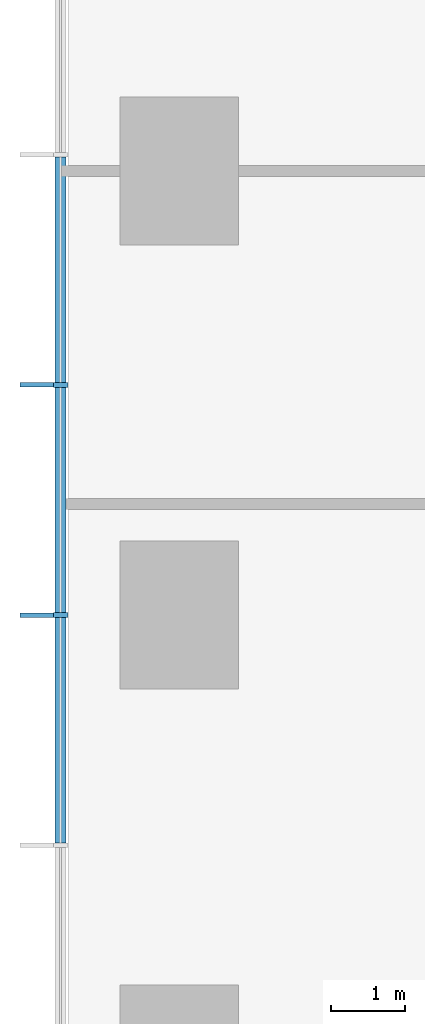
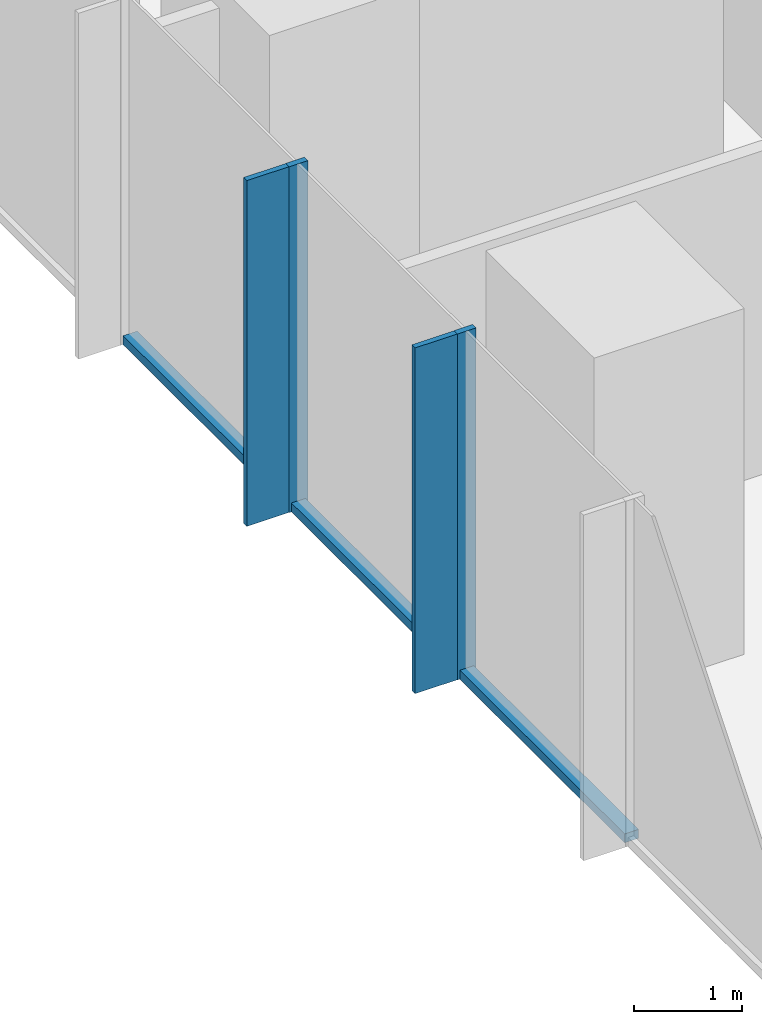
# One storey, part 3 of 12: 7 members, 1 element without a shape of its own.
"""IFC4 building model written with IfcOpenShell, lengths in metres."""

from ifc_helpers import new_model, si_unit, direction, frame, origin, origin_2d, place, context, subcontext, project, spatial, rectangle, extrude, material, layer, layer_set, material_profile, profile_set, type_object, element, aggregate, save


model = new_model("IFC4")

# Units and contexts
model_context = context("Model", 3, precision=1e-05, world=origin(), true_north=direction((0.0, 1.0)))
body_context = subcontext(model_context, "Body", "Model", "MODEL_VIEW")
ifc_project = project(units=[si_unit("LENGTHUNIT", "METRE"), si_unit("AREAUNIT", "SQUARE_METRE"), si_unit("VOLUMEUNIT", "CUBIC_METRE"), si_unit("PLANEANGLEUNIT", "RADIAN"), si_unit("MASSUNIT", "GRAM", prefix="KILO")], contexts=[model_context])

# Site, building, storey
site_placement = place(None, origin())
site = spatial("IfcSite", under=ifc_project, at=site_placement, CompositionType="ELEMENT")
building_placement = place(site_placement, origin())
building = spatial("IfcBuilding", under=site, at=building_placement, Name="Highveld Stack Headquarters", CompositionType="ELEMENT")
storey_placement = place(building_placement, frame((0.0, 0.0, 72.800048828125)))
storey = spatial("IfcBuildingStorey", under=building, at=storey_placement, Name="L17", CompositionType="ELEMENT", Elevation=72.800048828125)

# Curtain wall, members
ifc_material_1 = material(Name="Aluminium bronze anodised", Category="aluminium")
ifc_layer = layer(ifc_material_1, 0.199951171875)
ifc_layer_set = layer_set([ifc_layer], Name="Aluminium bronze anodised")
curtain_wall_type = type_object("IfcCurtainWallType", Name="CW1 TOWER UNITISED CURTAIN WALL", PredefinedType="NOTDEFINED", material=ifc_layer_set)
curtain_wall_placement = place(storey_placement, origin())
curtain_wall = element("IfcCurtainWall", 1, at=curtain_wall_placement, inside=storey, type_object=curtain_wall_type, Name="Curtain wall CW1 L17 W", PredefinedType="NOTDEFINED")
ifc_material_2 = material(Name="Aluminium bronze anodised", Category="aluminium")
ifc_material_profile_1 = material_profile(ifc_material_2, rectangle(XDim=0.449951171875, YDim=0.06005859375, at=origin_2d()), Name="FIN 450x60")
ifc_profile_set_1 = profile_set([ifc_material_profile_1], Name="Aluminium bronze anodised")
member_type_1 = type_object("IfcMemberType", Name="CW1 BRONZE FIN 450x60", PredefinedType="USERDEFINED", material=ifc_profile_set_1)
member_1_placement = place(storey_placement, frame((-19.925048828125, 9.110595703125, 0.0), z_axis=(0.0, 0.0, 1.0), x_axis=(1.0, 0.0, 0.0)))
member_1 = element("IfcMember", 2, at=member_1_placement, type_object=member_type_1, Name="CW1 fin L17 6", ObjectType="FIN", PredefinedType="USERDEFINED", context=body_context, shape_type="SweptSolid", body=[
    extrude(rectangle(XDim=0.449951171875, YDim=0.06005859375, at=origin_2d()), origin(), (0.0, 0.0, 1.0), 3.89990234375),
])
member_2_placement = place(storey_placement, frame((-19.925048828125, 6.0, 0.0), z_axis=(0.0, 0.0, 1.0), x_axis=(1.0, 0.0, 0.0)))
member_2 = element("IfcMember", 3, at=member_2_placement, type_object=member_type_1, Name="CW1 fin L17 7", ObjectType="FIN", PredefinedType="USERDEFINED", context=body_context, shape_type="SweptSolid", body=[
    extrude(rectangle(XDim=0.449951171875, YDim=0.06005859375, at=origin_2d()), origin(), (0.0, 0.0, 1.0), 3.89990234375),
])
ifc_material_3 = material(Name="Aluminium bronze anodised", Category="aluminium")
ifc_material_profile_2 = material_profile(ifc_material_3, rectangle(XDim=0.199951171875, YDim=0.06494140625, at=origin_2d()), Name="CW1 MULLION 65x200")
ifc_profile_set_2 = profile_set([ifc_material_profile_2], Name="Aluminium bronze anodised")
member_type_2 = type_object("IfcMemberType", Name="CW1 MULLION 65x200", PredefinedType="MULLION", material=ifc_profile_set_2)
member_3_placement = place(storey_placement, frame((-19.60009765625, 9.110595703125, 0.0), z_axis=(0.0, 0.0, 1.0), x_axis=(1.0, 0.0, 0.0)))
member_3 = element("IfcMember", 4, at=member_3_placement, type_object=member_type_2, Name="CW1 mullion L17 6", PredefinedType="MULLION", context=body_context, shape_type="SweptSolid", body=[
    extrude(rectangle(XDim=0.199951171875, YDim=0.06494140625, at=origin_2d()), origin(), (0.0, 0.0, 1.0), 3.89990234375),
])
member_4_placement = place(storey_placement, frame((-19.60009765625, 6.0, 0.0), z_axis=(0.0, 0.0, 1.0), x_axis=(1.0, 0.0, 0.0)))
member_4 = element("IfcMember", 5, at=member_4_placement, type_object=member_type_2, Name="CW1 mullion L17 7", PredefinedType="MULLION", context=body_context, shape_type="SweptSolid", body=[
    extrude(rectangle(XDim=0.199951171875, YDim=0.06494140625, at=origin_2d()), origin(), (0.0, 0.0, 1.0), 3.89990234375),
])
ifc_material_4 = material(Name="Aluminium bronze anodised", Category="aluminium")
ifc_material_profile_3 = material_profile(ifc_material_4, rectangle(XDim=0.14990234375, YDim=0.10009765625, at=origin_2d()), Name="CW1 TRANSOM 150x100")
ifc_profile_set_3 = profile_set([ifc_material_profile_3], Name="Aluminium bronze anodised")
member_type_3 = type_object("IfcMemberType", Name="CW1 STACK TRANSOM 150x100", PredefinedType="USERDEFINED", material=ifc_profile_set_3)
member_5_placement = place(storey_placement, frame((-19.60009765625, 12.1884765625, 0.050048828125), z_axis=(0.0, -1.0, 0.0), x_axis=(1.0, 0.0, 0.0)))
member_5 = element("IfcMember", 6, at=member_5_placement, type_object=member_type_3, Name="CW1 transom L17 5.1", ObjectType="TRANSOM", PredefinedType="USERDEFINED", context=body_context, shape_type="SweptSolid", body=[
    extrude(rectangle(XDim=0.14990234375, YDim=0.10009765625, at=origin_2d()), origin(), (0.0, 0.0, 1.0), 3.04541015625),
])
member_6_placement = place(storey_placement, frame((-19.60009765625, 9.077880859375, 0.050048828125), z_axis=(0.0, -1.0, 0.0), x_axis=(1.0, 0.0, 0.0)))
member_6 = element("IfcMember", 7, at=member_6_placement, type_object=member_type_3, Name="CW1 transom L17 6.1", ObjectType="TRANSOM", PredefinedType="USERDEFINED", context=body_context, shape_type="SweptSolid", body=[
    extrude(rectangle(XDim=0.14990234375, YDim=0.10009765625, at=origin_2d()), origin(), (0.0, 0.0, 1.0), 3.04541015625),
])
member_7_placement = place(storey_placement, frame((-19.60009765625, 5.967529296875, 0.050048828125), z_axis=(0.0, -1.0, 0.0), x_axis=(1.0, 0.0, 0.0)))
member_7 = element("IfcMember", 8, at=member_7_placement, type_object=member_type_3, Name="CW1 transom L17 7.1", ObjectType="TRANSOM", PredefinedType="USERDEFINED", context=body_context, shape_type="SweptSolid", body=[
    extrude(rectangle(XDim=0.14990234375, YDim=0.10009765625, at=origin_2d()), origin(), (0.0, 0.0, 1.0), 3.04541015625),
])
aggregate(curtain_wall, [member_3, member_1, member_4, member_2, member_5, member_6, member_7])

save(model, "model.ifc")
